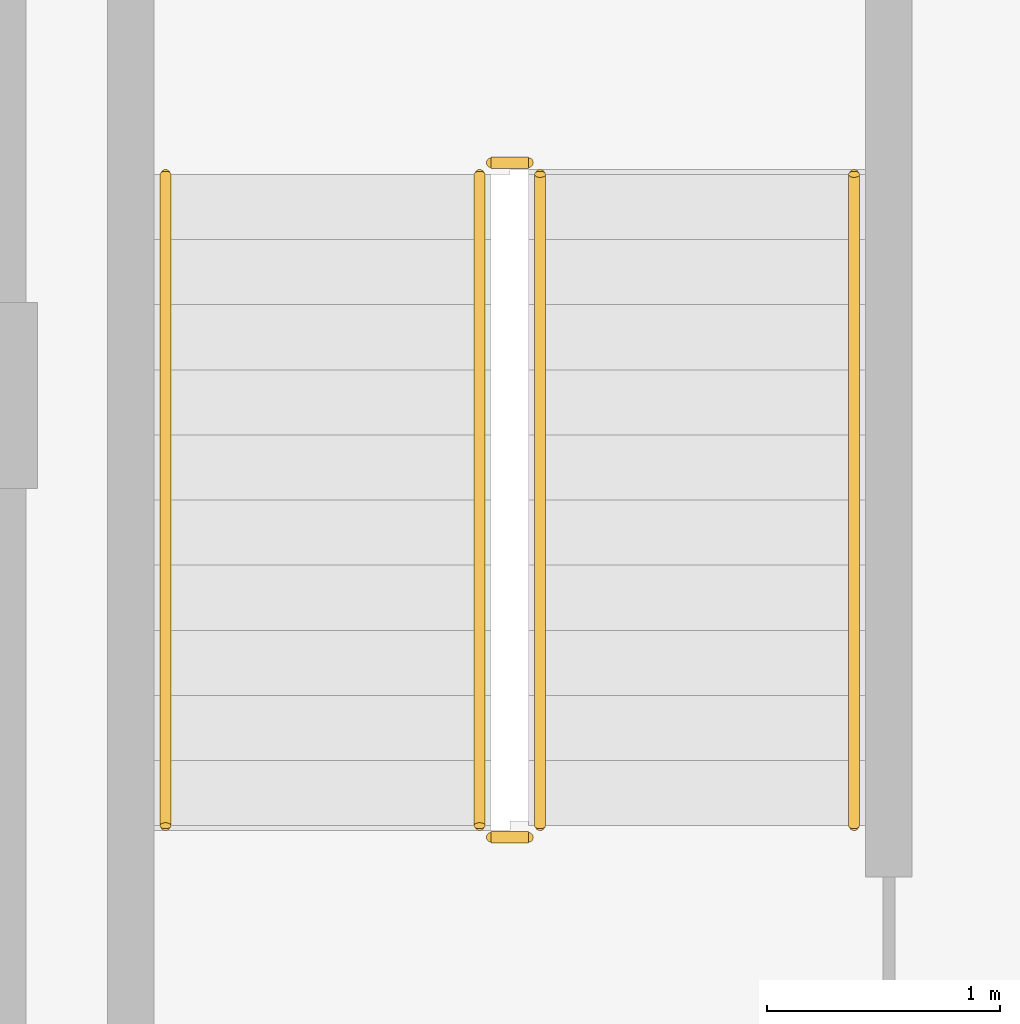
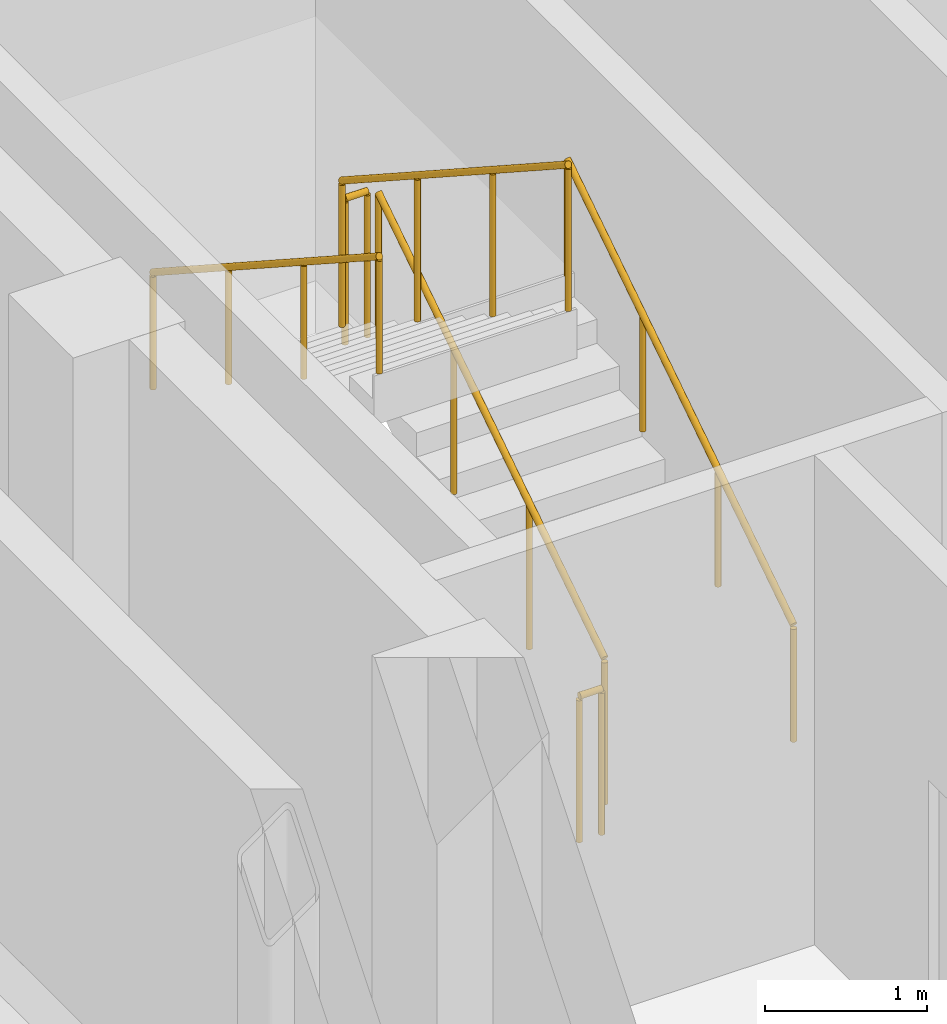
# One storey, part 7 of 9: 6 railings.
"""IFC4 building model written with IfcOpenShell, lengths in metres."""

from ifc_helpers import new_model, si_unit, direction, frame, origin, origin_2d, place, context, subcontext, project, spatial, circle, extrude, material, type_object, element, save


model = new_model("IFC4")

# Units and contexts
model_context = context("Model", 3, precision=1e-05, world=origin(), true_north=direction((0.0, 1.0)))
body_context = subcontext(model_context, "Body", "Model", "MODEL_VIEW")
ifc_project = project(units=[si_unit("LENGTHUNIT", "METRE"), si_unit("AREAUNIT", "SQUARE_METRE"), si_unit("VOLUMEUNIT", "CUBIC_METRE"), si_unit("PLANEANGLEUNIT", "RADIAN"), si_unit("MASSUNIT", "GRAM", prefix="KILO")], contexts=[model_context])

# Site, building, storey
site_placement = place(None, origin())
site = spatial("IfcSite", under=ifc_project, at=site_placement, CompositionType="ELEMENT")
building_placement = place(site_placement, origin())
building = spatial("IfcBuilding", under=site, at=building_placement, Name="Nuvemarco Arch Tower", CompositionType="ELEMENT")
storey_placement = place(building_placement, frame((0.0, 0.0, 287.14990234375)))
storey = spatial("IfcBuildingStorey", under=building, at=storey_placement, Name="L76", CompositionType="ELEMENT", Elevation=287.14990234375)

# Railings
ifc_material_1 = material(Name="Brushed stainless steel handrail", Category="steel")
railing_type_1 = type_object("IfcRailingType", Name="RL-HANDRAIL-900", PredefinedType="HANDRAIL", material=ifc_material_1)
railing_1_placement = place(storey_placement, frame((-13.590087890625, 2.64990234375, 0.181884765625)))
element("IfcRailing", 1, at=railing_1_placement, inside=storey, type_object=railing_type_1, Name="L76 ST-1 stair handrail 1", PredefinedType="HANDRAIL", context=body_context, shape_type="SweptSolid", body=[
    extrude(circle(Radius=0.02392578125, at=origin_2d()), frame((0.0, 0.0, 0.8759765625), z_axis=(0.0, 0.838705829183, 0.544584733623), x_axis=(-1.0, 0.0, 0.0)), (0.0, 0.0, 1.0), 3.338623046875),
    extrude(circle(Radius=0.02099609375, at=origin_2d()), origin(), (0.0, 0.0, 1.0), 0.851806640625),
    extrude(circle(Radius=0.02099609375, at=origin_2d()), frame((0.0, 0.933349609375, 0.60595703125)), (0.0, 0.0, 1.0), 0.851806640625),
    extrude(circle(Radius=0.02099609375, at=origin_2d()), frame((0.0, 1.86669921875, 1.212158203125)), (0.0, 0.0, 1.0), 0.851806640625),
    extrude(circle(Radius=0.02099609375, at=origin_2d()), frame((0.0, 2.800048828125, 1.818115234375)), (0.0, 0.0, 1.0), 0.851806640625),
])
railing_2_placement = place(storey_placement, frame((-16.550048828125, 5.449951171875, 2.181884765625)))
element("IfcRailing", 2, at=railing_2_placement, inside=storey, type_object=railing_type_1, Name="L76 ST-1 stair handrail 2", PredefinedType="HANDRAIL", context=body_context, shape_type="SweptSolid", body=[
    extrude(circle(Radius=0.02392578125, at=origin_2d()), frame((0.0, 0.0, 0.8759765625), z_axis=(0.0, -0.838705829183, 0.544584733623), x_axis=(1.0, 0.0, 0.0)), (0.0, 0.0, 1.0), 3.338623046875),
    extrude(circle(Radius=0.02099609375, at=origin_2d()), origin(), (0.0, 0.0, 1.0), 0.851806640625),
    extrude(circle(Radius=0.02099609375, at=origin_2d()), frame((0.0, -0.933349609375, 0.60595703125)), (0.0, 0.0, 1.0), 0.851806640625),
    extrude(circle(Radius=0.02099609375, at=origin_2d()), frame((0.0, -1.86669921875, 1.212158203125)), (0.0, 0.0, 1.0), 0.851806640625),
    extrude(circle(Radius=0.02099609375, at=origin_2d()), frame((0.0, -2.800048828125, 1.818115234375)), (0.0, 0.0, 1.0), 0.851806640625),
])
ifc_material_2 = material(Name="Painted balustrade steel S355", Category="steel")
railing_type_2 = type_object("IfcRailingType", Name="RL-STAIR-GUARD", PredefinedType="GUARDRAIL", material=ifc_material_2)
railing_3_placement = place(storey_placement, frame((-14.93994140625, 2.64990234375, 0.181884765625)))
element("IfcRailing", 3, at=railing_3_placement, inside=storey, type_object=railing_type_2, Name="L76 ST-1 stair guard 1", PredefinedType="GUARDRAIL", context=body_context, shape_type="SweptSolid", body=[
    extrude(circle(Radius=0.02392578125, at=origin_2d()), frame((0.0, 0.0, 1.09619140625), z_axis=(0.0, 0.838705829183, 0.544584733623), x_axis=(-1.0, 0.0, 0.0)), (0.0, 0.0, 1.0), 3.338623046875),
    extrude(circle(Radius=0.02099609375, at=origin_2d()), origin(), (0.0, 0.0, 1.0), 1.072021484375),
    extrude(circle(Radius=0.02099609375, at=origin_2d()), frame((0.0, 0.933349609375, 0.60595703125)), (0.0, 0.0, 1.0), 1.072021484375),
    extrude(circle(Radius=0.02099609375, at=origin_2d()), frame((0.0, 1.86669921875, 1.212158203125)), (0.0, 0.0, 1.0), 1.072021484375),
    extrude(circle(Radius=0.02099609375, at=origin_2d()), frame((0.0, 2.800048828125, 1.818115234375)), (0.0, 0.0, 1.0), 1.072021484375),
])
railing_4_placement = place(storey_placement, frame((-14.989990234375, 5.5, 2.0)))
element("IfcRailing", 4, at=railing_4_placement, inside=storey, type_object=railing_type_2, Name="L76 ST-1 stair guard 2", PredefinedType="GUARDRAIL", context=body_context, shape_type="SweptSolid", body=[
    extrude(circle(Radius=0.02392578125, at=origin_2d()), frame((0.0, 0.0, 1.09619140625), z_axis=(-1.0, 0.0, 0.0), x_axis=(0.0, -1.0, 0.0)), (0.0, 0.0, 1.0), 0.159912109375),
    extrude(circle(Radius=0.02099609375, at=origin_2d()), origin(), (0.0, 0.0, 1.0), 1.072021484375),
    extrude(circle(Radius=0.02099609375, at=origin_2d()), frame((-0.159912109375, 0.0, 0.0)), (0.0, 0.0, 1.0), 1.072021484375),
])
railing_5_placement = place(storey_placement, frame((-15.199951171875, 5.449951171875, 2.181884765625)))
element("IfcRailing", 5, at=railing_5_placement, inside=storey, type_object=railing_type_2, Name="L76 ST-1 stair guard 3", PredefinedType="GUARDRAIL", context=body_context, shape_type="SweptSolid", body=[
    extrude(circle(Radius=0.02392578125, at=origin_2d()), frame((0.0, 0.0, 1.09619140625), z_axis=(0.0, -0.838705829183, 0.544584733623), x_axis=(1.0, 0.0, 0.0)), (0.0, 0.0, 1.0), 3.338623046875),
    extrude(circle(Radius=0.02099609375, at=origin_2d()), origin(), (0.0, 0.0, 1.0), 1.072021484375),
    extrude(circle(Radius=0.02099609375, at=origin_2d()), frame((0.0, -0.933349609375, 0.60595703125)), (0.0, 0.0, 1.0), 1.072021484375),
    extrude(circle(Radius=0.02099609375, at=origin_2d()), frame((0.0, -1.86669921875, 1.212158203125)), (0.0, 0.0, 1.0), 1.072021484375),
    extrude(circle(Radius=0.02099609375, at=origin_2d()), frame((0.0, -2.800048828125, 1.818115234375)), (0.0, 0.0, 1.0), 1.072021484375),
])
railing_6_placement = place(storey_placement, frame((-14.989990234375, 2.60009765625, 0.0)))
element("IfcRailing", 6, at=railing_6_placement, inside=storey, type_object=railing_type_2, Name="L76 ST-1 stair guard 4", PredefinedType="GUARDRAIL", context=body_context, shape_type="SweptSolid", body=[
    extrude(circle(Radius=0.02392578125, at=origin_2d()), frame((0.0, 0.0, 1.09619140625), z_axis=(-1.0, 0.0, 0.0), x_axis=(0.0, -1.0, 0.0)), (0.0, 0.0, 1.0), 0.159912109375),
    extrude(circle(Radius=0.02099609375, at=origin_2d()), origin(), (0.0, 0.0, 1.0), 1.072021484375),
    extrude(circle(Radius=0.02099609375, at=origin_2d()), frame((-0.159912109375, 0.0, 0.0)), (0.0, 0.0, 1.0), 1.072021484375),
])

save(model, "model.ifc")
